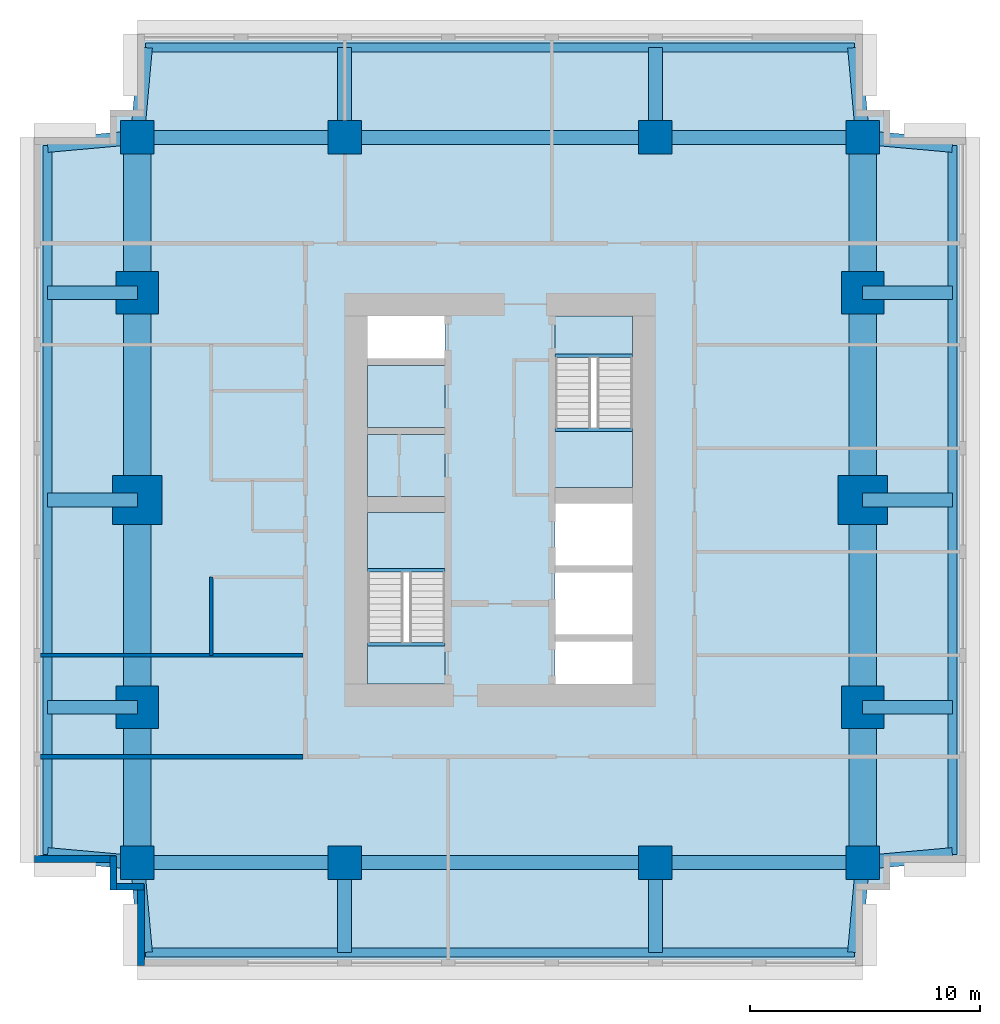
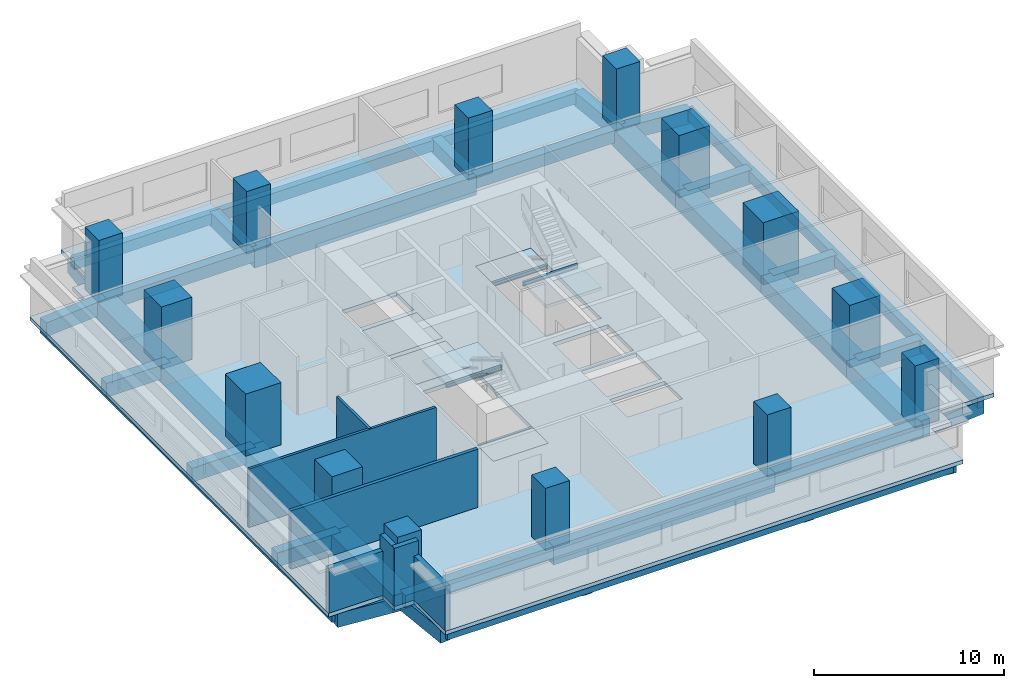
# One storey, part 1 of 5: 40 beams, 14 columns, 7 slabs, 7 walls, 2 elements without a shape of their own.
"""IFC4 building model written with IfcOpenShell, lengths in metres."""

from ifc_helpers import new_model, si_unit, direction, frame, frame_2d, origin, origin_2d, place, context, subcontext, project, spatial, polyline, rectangle, i_section, outline, extrude, material, layer, layer_set, material_profile, profile_set, type_object, element, aggregate, save


model = new_model("IFC4")

# Units and contexts
model_context = context("Model", 3, precision=1e-05, world=origin(), true_north=direction((0.0, 1.0)))
body_context = subcontext(model_context, "Body", "Model", "MODEL_VIEW")
ifc_project = project(units=[si_unit("LENGTHUNIT", "METRE"), si_unit("AREAUNIT", "SQUARE_METRE"), si_unit("VOLUMEUNIT", "CUBIC_METRE"), si_unit("PLANEANGLEUNIT", "RADIAN"), si_unit("MASSUNIT", "GRAM", prefix="KILO")], contexts=[model_context])

# Site, building, storey
site_placement = place(None, origin())
site = spatial("IfcSite", under=ifc_project, at=site_placement, CompositionType="ELEMENT")
building_placement = place(site_placement, origin())
building = spatial("IfcBuilding", under=site, at=building_placement, Name="Namib Vertical Campus", CompositionType="ELEMENT")
storey_placement = place(building_placement, frame((0.0, 0.0, 253.0)))
storey = spatial("IfcBuildingStorey", under=building, at=storey_placement, Name="L59", CompositionType="ELEMENT", Elevation=253.0)

# Columns
ifc_material_1 = material(Name="Concrete C60/75", Category="concrete")
ifc_material_profile_1 = material_profile(ifc_material_1, rectangle(XDim=1.449951171875, YDim=1.449951171875, at=origin_2d()))
ifc_profile_set_1 = profile_set([ifc_material_profile_1], Name="Concrete C60/75")
column_type_1 = type_object("IfcColumnType", Name="Column RC 1450x1450", PredefinedType="COLUMN", material=ifc_profile_set_1)
for number, where, z_axis, x_axis, name in (
    (1, (4.5, 4.5, 0.0), (0.0, 0.0, 1.0), (1.0, 0.0, 0.0), "Column C145 L59"),
    (2, (13.5, 4.5, 0.0), (0.0, 0.0, 1.0), (1.0, 0.0, 0.0), "Column C145 L59"),
    (3, (27.0, 4.5, 0.0), (0.0, 0.0, 1.0), (1.0, 0.0, 0.0), "Column C145 L59"),
    (4, (36.0, 4.5, 0.0), (0.0, 0.0, 1.0), (1.0, 0.0, 0.0), "Column C145 L59"),
    (5, (4.5, 36.0, 0.0), (0.0, 0.0, 1.0), (1.0, 0.0, 0.0), "Column C145 L59"),
    (6, (13.5, 36.0, 0.0), (0.0, 0.0, 1.0), (1.0, 0.0, 0.0), "Column C145 L59"),
    (7, (27.0, 36.0, 0.0), (0.0, 0.0, 1.0), (1.0, 0.0, 0.0), "Column C145 L59"),
    (8, (36.0, 36.0, 0.0), (0.0, 0.0, 1.0), (1.0, 0.0, 0.0), "Column C145 L59"),
):
    element("IfcColumn", number, at=place(storey_placement, frame(where, z_axis=z_axis, x_axis=x_axis)), inside=storey, type_object=column_type_1, Name=name, PredefinedType="COLUMN", context=body_context, shape_type="SweptSolid", body=[
        extrude(rectangle(XDim=1.449951171875, YDim=1.449951171875, at=origin_2d()), origin(), (0.0, 0.0, 1.0), 4.0),
    ])
ifc_material_2 = material(Name="Concrete C60/75", Category="concrete")
ifc_material_profile_2 = material_profile(ifc_material_2, rectangle(XDim=1.85009765625, YDim=1.85009765625, at=origin_2d()))
ifc_profile_set_2 = profile_set([ifc_material_profile_2], Name="Concrete C60/75")
column_type_2 = type_object("IfcColumnType", Name="Column RC 1850x1850", PredefinedType="COLUMN", material=ifc_profile_set_2)
for number, where, z_axis, x_axis, name in (
    (9, (4.5, 11.25, 0.0), (0.0, 0.0, 1.0), (1.0, 0.0, 0.0), "Column C185 L59"),
    (10, (36.0, 11.25, 0.0), (0.0, 0.0, 1.0), (1.0, 0.0, 0.0), "Column C185 L59"),
    (11, (4.5, 29.25, 0.0), (0.0, 0.0, 1.0), (1.0, 0.0, 0.0), "Column C185 L59"),
    (12, (36.0, 29.25, 0.0), (0.0, 0.0, 1.0), (1.0, 0.0, 0.0), "Column C185 L59"),
):
    element("IfcColumn", number, at=place(storey_placement, frame(where, z_axis=z_axis, x_axis=x_axis)), inside=storey, type_object=column_type_2, Name=name, PredefinedType="COLUMN", context=body_context, shape_type="SweptSolid", body=[
        extrude(rectangle(XDim=1.85009765625, YDim=1.85009765625, at=origin_2d()), origin(), (0.0, 0.0, 1.0), 4.0),
    ])
ifc_material_3 = material(Name="Concrete C60/75", Category="concrete")
ifc_material_profile_3 = material_profile(ifc_material_3, rectangle(XDim=2.14990234375, YDim=2.14990234375, at=origin_2d()))
ifc_profile_set_3 = profile_set([ifc_material_profile_3], Name="Concrete C60/75")
column_type_3 = type_object("IfcColumnType", Name="Column RC 2150x2150", PredefinedType="COLUMN", material=ifc_profile_set_3)
for number, where, z_axis, x_axis, name in (
    (13, (4.5, 20.25, 0.0), (0.0, 0.0, 1.0), (1.0, 0.0, 0.0), "Column C215 L59"),
    (14, (36.0, 20.25, 0.0), (0.0, 0.0, 1.0), (1.0, 0.0, 0.0), "Column C215 L59"),
):
    element("IfcColumn", number, at=place(storey_placement, frame(where, z_axis=z_axis, x_axis=x_axis)), inside=storey, type_object=column_type_3, Name=name, PredefinedType="COLUMN", context=body_context, shape_type="SweptSolid", body=[
        extrude(rectangle(XDim=2.14990234375, YDim=2.14990234375, at=origin_2d()), origin(), (0.0, 0.0, 1.0), 4.0),
    ])

# Beams
ifc_material_4 = material(Name="Concrete C40/50", Category="concrete")
ifc_material_profile_4 = material_profile(ifc_material_4, rectangle(XDim=0.60009765625, YDim=0.89990234375, at=origin_2d()))
ifc_profile_set_4 = profile_set([ifc_material_profile_4], Name="Concrete C40/50")
beam_type_1 = type_object("IfcBeamType", Name="Cantilever girder RC 600x900", PredefinedType="BEAM", material=ifc_profile_set_4)
beam_1_placement = place(storey_placement, frame((4.5, 4.5, -0.699951171875), z_axis=(0.089411326146, -0.995994786511, 0.0), x_axis=(0.995994786511, 0.089411326146, 0.0)))
element("IfcBeam", 15, at=beam_1_placement, inside=storey, type_object=beam_type_1, Name="Beam B3 L59", PredefinedType="BEAM", context=body_context, shape_type="SweptSolid", body=[
    extrude(rectangle(XDim=0.60009765625, YDim=0.89990234375, at=origin_2d()), origin(), (0.0, 0.0, 1.0), 3.91552734375),
])
for number, where, z_axis, x_axis, name in (
    (16, (13.5, 4.5, -0.699951171875), (0.0, -1.0, 0.0), (1.0, 0.0, 0.0), "Beam B3 L59"),
    (17, (27.0, 4.5, -0.699951171875), (0.0, -1.0, 0.0), (1.0, 0.0, 0.0), "Beam B3 L59"),
):
    element("IfcBeam", number, at=place(storey_placement, frame(where, z_axis=z_axis, x_axis=x_axis)), inside=storey, type_object=beam_type_1, Name=name, PredefinedType="BEAM", context=body_context, shape_type="SweptSolid", body=[
        extrude(rectangle(XDim=0.60009765625, YDim=0.89990234375, at=origin_2d()), origin(), (0.0, 0.0, 1.0), 3.89990234375),
    ])
for number, where, z_axis, x_axis, name in (
    (18, (36.0, 4.5, -0.699951171875), (-0.089411326146, -0.995994786511, 0.0), (0.995994786511, -0.089411326146, 0.0), "Beam B3 L59"),
    (19, (4.5, 36.0, -0.699951171875), (0.089411326146, 0.995994786511, 0.0), (-0.995994786511, 0.089411326146, 0.0), "Beam B3 L59"),
):
    element("IfcBeam", number, at=place(storey_placement, frame(where, z_axis=z_axis, x_axis=x_axis)), inside=storey, type_object=beam_type_1, Name=name, PredefinedType="BEAM", context=body_context, shape_type="SweptSolid", body=[
        extrude(rectangle(XDim=0.60009765625, YDim=0.89990234375, at=origin_2d()), origin(), (0.0, 0.0, 1.0), 3.91552734375),
    ])
for number, where, z_axis, x_axis, name in (
    (20, (13.5, 36.0, -0.699951171875), (0.0, 1.0, 0.0), (-1.0, 0.0, 0.0), "Beam B3 L59"),
    (21, (27.0, 36.0, -0.699951171875), (0.0, 1.0, 0.0), (-1.0, 0.0, 0.0), "Beam B3 L59"),
):
    element("IfcBeam", number, at=place(storey_placement, frame(where, z_axis=z_axis, x_axis=x_axis)), inside=storey, type_object=beam_type_1, Name=name, PredefinedType="BEAM", context=body_context, shape_type="SweptSolid", body=[
        extrude(rectangle(XDim=0.60009765625, YDim=0.89990234375, at=origin_2d()), origin(), (0.0, 0.0, 1.0), 3.89990234375),
    ])
for number, where, z_axis, x_axis, name in (
    (22, (36.0, 36.0, -0.699951171875), (-0.089411326146, 0.995994786511, 0.0), (-0.995994786511, -0.089411326146, 0.0), "Beam B3 L59"),
    (23, (4.5, 4.5, -0.699951171875), (-0.995994786511, 0.089411326146, 0.0), (-0.089411326146, -0.995994786511, 0.0), "Beam B3 L59"),
):
    element("IfcBeam", number, at=place(storey_placement, frame(where, z_axis=z_axis, x_axis=x_axis)), inside=storey, type_object=beam_type_1, Name=name, PredefinedType="BEAM", context=body_context, shape_type="SweptSolid", body=[
        extrude(rectangle(XDim=0.60009765625, YDim=0.89990234375, at=origin_2d()), origin(), (0.0, 0.0, 1.0), 3.91552734375),
    ])
for number, where, z_axis, x_axis, name in (
    (24, (4.5, 11.25, -0.699951171875), (-1.0, 0.0, 0.0), (0.0, -1.0, 0.0), "Beam B3 L59"),
    (25, (4.5, 20.25, -0.699951171875), (-1.0, 0.0, 0.0), (0.0, -1.0, 0.0), "Beam B3 L59"),
    (26, (4.5, 29.25, -0.699951171875), (-1.0, 0.0, 0.0), (0.0, -1.0, 0.0), "Beam B3 L59"),
):
    element("IfcBeam", number, at=place(storey_placement, frame(where, z_axis=z_axis, x_axis=x_axis)), inside=storey, type_object=beam_type_1, Name=name, PredefinedType="BEAM", context=body_context, shape_type="SweptSolid", body=[
        extrude(rectangle(XDim=0.60009765625, YDim=0.89990234375, at=origin_2d()), origin(), (0.0, 0.0, 1.0), 3.89990234375),
    ])
for number, where, z_axis, x_axis, name in (
    (27, (4.5, 36.0, -0.699951171875), (-0.995994786511, -0.089411326146, 0.0), (0.089411326146, -0.995994786511, 0.0), "Beam B3 L59"),
    (28, (36.0, 4.5, -0.699951171875), (0.995994786511, 0.089411326146, 0.0), (-0.089411326146, 0.995994786511, 0.0), "Beam B3 L59"),
):
    element("IfcBeam", number, at=place(storey_placement, frame(where, z_axis=z_axis, x_axis=x_axis)), inside=storey, type_object=beam_type_1, Name=name, PredefinedType="BEAM", context=body_context, shape_type="SweptSolid", body=[
        extrude(rectangle(XDim=0.60009765625, YDim=0.89990234375, at=origin_2d()), origin(), (0.0, 0.0, 1.0), 3.91552734375),
    ])
for number, where, z_axis, x_axis, name in (
    (29, (36.0, 11.25, -0.699951171875), (1.0, 0.0, 0.0), (0.0, 1.0, 0.0), "Beam B3 L59"),
    (30, (36.0, 20.25, -0.699951171875), (1.0, 0.0, 0.0), (0.0, 1.0, 0.0), "Beam B3 L59"),
    (31, (36.0, 29.25, -0.699951171875), (1.0, 0.0, 0.0), (0.0, 1.0, 0.0), "Beam B3 L59"),
):
    element("IfcBeam", number, at=place(storey_placement, frame(where, z_axis=z_axis, x_axis=x_axis)), inside=storey, type_object=beam_type_1, Name=name, PredefinedType="BEAM", context=body_context, shape_type="SweptSolid", body=[
        extrude(rectangle(XDim=0.60009765625, YDim=0.89990234375, at=origin_2d()), origin(), (0.0, 0.0, 1.0), 3.89990234375),
    ])
beam_2_placement = place(storey_placement, frame((36.0, 36.0, -0.699951171875), z_axis=(0.995994786511, -0.089411326146, 0.0), x_axis=(0.089411326146, 0.995994786511, 0.0)))
element("IfcBeam", 32, at=beam_2_placement, inside=storey, type_object=beam_type_1, Name="Beam B3 L59", PredefinedType="BEAM", context=body_context, shape_type="SweptSolid", body=[
    extrude(rectangle(XDim=0.60009765625, YDim=0.89990234375, at=origin_2d()), origin(), (0.0, 0.0, 1.0), 3.91552734375),
])
ifc_material_5 = material(Name="Concrete C40/50", Category="concrete")
ifc_material_profile_5 = material_profile(ifc_material_5, rectangle(XDim=0.39990234375, YDim=0.699951171875, at=origin_2d()))
ifc_profile_set_5 = profile_set([ifc_material_profile_5], Name="Concrete C40/50")
beam_type_2 = type_object("IfcBeamType", Name="Edge beam RC 400x700", PredefinedType="SPANDREL", material=ifc_profile_set_5)
for number, where, z_axis, x_axis, name in (
    (33, (4.85009765625, 0.60009765625, -0.60009765625), (1.0, 0.0, 0.0), (0.0, 1.0, 0.0), "Beam B4 L59"),
    (34, (4.85009765625, 39.89990234375, -0.60009765625), (1.0, 0.0, 0.0), (0.0, 1.0, 0.0), "Beam B4 L59"),
    (35, (0.60009765625, 4.85009765625, -0.60009765625), (0.0, 1.0, 0.0), (-1.0, 0.0, 0.0), "Beam B4 L59"),
    (36, (39.89990234375, 4.85009765625, -0.60009765625), (0.0, 1.0, 0.0), (-1.0, 0.0, 0.0), "Beam B4 L59"),
):
    element("IfcBeam", number, at=place(storey_placement, frame(where, z_axis=z_axis, x_axis=x_axis)), inside=storey, type_object=beam_type_2, Name=name, PredefinedType="SPANDREL", context=body_context, shape_type="SweptSolid", body=[
        extrude(rectangle(XDim=0.39990234375, YDim=0.699951171875, at=origin_2d()), origin(), (0.0, 0.0, 1.0), 30.7998046875),
    ])
ifc_material_6 = material(Name="Concrete C40/50", Category="concrete")
ifc_material_profile_6 = material_profile(ifc_material_6, rectangle(XDim=1.199951171875, YDim=1.10009765625, at=origin_2d()))
ifc_profile_set_6 = profile_set([ifc_material_profile_6], Name="Concrete C40/50")
beam_type_3 = type_object("IfcBeamType", Name="Face ring beam RC 1200x1100", PredefinedType="BEAM", material=ifc_profile_set_6)
beam_3_placement = place(storey_placement, frame((4.5, 4.5, -0.800048828125), z_axis=(0.0, 1.0, 0.0), x_axis=(-1.0, 0.0, 0.0)))
element("IfcBeam", 37, at=beam_3_placement, inside=storey, type_object=beam_type_3, Name="Beam B11 L59", PredefinedType="BEAM", context=body_context, shape_type="SweptSolid", body=[
    extrude(rectangle(XDim=1.199951171875, YDim=1.10009765625, at=origin_2d()), origin(), (0.0, 0.0, 1.0), 6.75),
])
for number, where, z_axis, x_axis, name in (
    (38, (4.5, 11.25, -0.800048828125), (0.0, 1.0, 0.0), (-1.0, 0.0, 0.0), "Beam B11 L59"),
    (39, (4.5, 20.25, -0.800048828125), (0.0, 1.0, 0.0), (-1.0, 0.0, 0.0), "Beam B11 L59"),
):
    element("IfcBeam", number, at=place(storey_placement, frame(where, z_axis=z_axis, x_axis=x_axis)), inside=storey, type_object=beam_type_3, Name=name, PredefinedType="BEAM", context=body_context, shape_type="SweptSolid", body=[
        extrude(rectangle(XDim=1.199951171875, YDim=1.10009765625, at=origin_2d()), origin(), (0.0, 0.0, 1.0), 9.0),
    ])
for number, where, z_axis, x_axis, name in (
    (40, (4.5, 29.25, -0.800048828125), (0.0, 1.0, 0.0), (-1.0, 0.0, 0.0), "Beam B11 L59"),
    (41, (36.0, 4.5, -0.800048828125), (0.0, 1.0, 0.0), (-1.0, 0.0, 0.0), "Beam B11 L59"),
):
    element("IfcBeam", number, at=place(storey_placement, frame(where, z_axis=z_axis, x_axis=x_axis)), inside=storey, type_object=beam_type_3, Name=name, PredefinedType="BEAM", context=body_context, shape_type="SweptSolid", body=[
        extrude(rectangle(XDim=1.199951171875, YDim=1.10009765625, at=origin_2d()), origin(), (0.0, 0.0, 1.0), 6.75),
    ])
for number, where, z_axis, x_axis, name in (
    (42, (36.0, 11.25, -0.800048828125), (0.0, 1.0, 0.0), (-1.0, 0.0, 0.0), "Beam B11 L59"),
    (43, (36.0, 20.25, -0.800048828125), (0.0, 1.0, 0.0), (-1.0, 0.0, 0.0), "Beam B11 L59"),
):
    element("IfcBeam", number, at=place(storey_placement, frame(where, z_axis=z_axis, x_axis=x_axis)), inside=storey, type_object=beam_type_3, Name=name, PredefinedType="BEAM", context=body_context, shape_type="SweptSolid", body=[
        extrude(rectangle(XDim=1.199951171875, YDim=1.10009765625, at=origin_2d()), origin(), (0.0, 0.0, 1.0), 9.0),
    ])
beam_4_placement = place(storey_placement, frame((36.0, 29.25, -0.800048828125), z_axis=(0.0, 1.0, 0.0), x_axis=(-1.0, 0.0, 0.0)))
element("IfcBeam", 44, at=beam_4_placement, inside=storey, type_object=beam_type_3, Name="Beam B11 L59", PredefinedType="BEAM", context=body_context, shape_type="SweptSolid", body=[
    extrude(rectangle(XDim=1.199951171875, YDim=1.10009765625, at=origin_2d()), origin(), (0.0, 0.0, 1.0), 6.75),
])
ifc_material_7 = material(Name="Steel S355JR", Category="steel")
ifc_material_profile_7 = material_profile(ifc_material_7, i_section(OverallWidth=0.14599609375, OverallDepth=0.25146484375, WebThickness=0.006103515625, FlangeThickness=0.008544921875, FilletRadius=0.007568359375, at=origin_2d()))
ifc_profile_set_7 = profile_set([ifc_material_profile_7], Name="Steel S355JR")
beam_type_4 = type_object("IfcBeamType", Name="Landing trimmer UB 254x146x31", PredefinedType="BEAM", material=ifc_profile_set_7)
for number, where, z_axis, x_axis, name in (
    (45, (14.5, 13.97705078125, -0.125732421875), (1.0, 0.0, 0.0), (0.0, 1.0, 0.0), "Landing trimmer LT1 A-S1 L59 1"),
    (46, (14.5, 17.203125, 1.874267578125), (1.0, 0.0, 0.0), (0.0, 1.0, 0.0), "Landing trimmer LT1 A-S1 L59 2"),
    (47, (22.64990234375, 26.52294921875, -0.125732421875), (1.0, 0.0, 0.0), (0.0, 1.0, 0.0), "Landing trimmer LT1 A-S2 L59 1"),
    (48, (22.64990234375, 23.296875, 1.874267578125), (1.0, 0.0, 0.0), (0.0, 1.0, 0.0), "Landing trimmer LT1 A-S2 L59 2"),
):
    element("IfcBeam", number, at=place(storey_placement, frame(where, z_axis=z_axis, x_axis=x_axis)), inside=storey, type_object=beam_type_4, Name=name, PredefinedType="BEAM", context=body_context, shape_type="SweptSolid", body=[
        extrude(i_section(OverallWidth=0.14599609375, OverallDepth=0.25146484375, WebThickness=0.006103515625, FlangeThickness=0.008544921875, FilletRadius=0.007568359375, at=origin_2d()), origin(), (0.0, 0.0, 1.0), 3.35009765625),
    ])
ifc_material_8 = material(Name="Concrete C40/50", Category="concrete")
ifc_material_profile_8 = material_profile(ifc_material_8, rectangle(XDim=0.60009765625, YDim=1.199951171875, at=origin_2d()))
ifc_profile_set_8 = profile_set([ifc_material_profile_8], Name="Concrete C40/50")
beam_type_5 = type_object("IfcBeamType", Name="Long-span ring beam RC 600x1200", PredefinedType="BEAM", material=ifc_profile_set_8)
for number, where, z_axis, x_axis, name in (
    (49, (13.5, 4.5, -0.85009765625), (1.0, 0.0, 0.0), (0.0, 1.0, 0.0), "Beam B9 L59"),
    (50, (13.5, 36.0, -0.85009765625), (1.0, 0.0, 0.0), (0.0, 1.0, 0.0), "Beam B9 L59"),
):
    element("IfcBeam", number, at=place(storey_placement, frame(where, z_axis=z_axis, x_axis=x_axis)), inside=storey, type_object=beam_type_5, Name=name, PredefinedType="BEAM", context=body_context, shape_type="SweptSolid", body=[
        extrude(rectangle(XDim=0.60009765625, YDim=1.199951171875, at=origin_2d()), origin(), (0.0, 0.0, 1.0), 13.5),
    ])
ifc_material_9 = material(Name="Concrete C40/50", Category="concrete")
ifc_material_profile_9 = material_profile(ifc_material_9, rectangle(XDim=0.60009765625, YDim=0.800048828125, at=origin_2d()))
ifc_profile_set_9 = profile_set([ifc_material_profile_9], Name="Concrete C40/50")
beam_type_6 = type_object("IfcBeamType", Name="Ring beam RC 600x800", PredefinedType="BEAM", material=ifc_profile_set_9)
for number, where, z_axis, x_axis, name in (
    (51, (4.5, 4.5, -0.64990234375), (1.0, 0.0, 0.0), (0.0, 1.0, 0.0), "Beam B1 L59"),
    (52, (27.0, 4.5, -0.64990234375), (1.0, 0.0, 0.0), (0.0, 1.0, 0.0), "Beam B1 L59"),
    (53, (4.5, 36.0, -0.64990234375), (1.0, 0.0, 0.0), (0.0, 1.0, 0.0), "Beam B1 L59"),
    (54, (27.0, 36.0, -0.64990234375), (1.0, 0.0, 0.0), (0.0, 1.0, 0.0), "Beam B1 L59"),
):
    element("IfcBeam", number, at=place(storey_placement, frame(where, z_axis=z_axis, x_axis=x_axis)), inside=storey, type_object=beam_type_6, Name=name, PredefinedType="BEAM", context=body_context, shape_type="SweptSolid", body=[
        extrude(rectangle(XDim=0.60009765625, YDim=0.800048828125, at=origin_2d()), origin(), (0.0, 0.0, 1.0), 9.0),
    ])

# Slabs
ifc_material_10 = material(Name="Concrete C40/50", Category="concrete")
ifc_layer_1 = layer(ifc_material_10, 0.25)
ifc_layer_set_1 = layer_set([ifc_layer_1], Name="Concrete C40/50")
slab_type_1 = type_object("IfcSlabType", Name="Floor slab 250", PredefinedType="FLOOR", material=ifc_layer_set_1)
slab_1_placement = place(storey_placement, frame((0.0, 0.0, -0.25)))
element("IfcSlab", 55, at=slab_1_placement, inside=storey, type_object=slab_type_1, Name="Floor slab A L59", PredefinedType="FLOOR", context=body_context, shape_type="SweptSolid", body=[
    extrude(outline(polyline([(4.5, 0.0), (36.0, 0.0), (36.0, 3.300048828125), (37.199951171875, 3.300048828125), (37.199951171875, 4.5), (40.5, 4.5), (40.5, 36.0), (37.199951171875, 36.0), (37.199951171875, 37.199951171875), (36.0, 37.199951171875), (36.0, 40.5), (4.5, 40.5), (4.5, 37.199951171875), (3.300048828125, 37.199951171875), (3.300048828125, 36.0), (0.0, 36.0), (0.0, 4.5), (3.300048828125, 4.5), (3.300048828125, 3.300048828125), (4.5, 3.300048828125), (4.5, 0.0)]), holes=[polyline([(14.5, 12.25), (17.85009765625, 12.25), (17.85009765625, 19.699951171875), (14.5, 19.699951171875), (14.5, 12.25)]), polyline([(22.64990234375, 20.800048828125), (26.0, 20.800048828125), (26.0, 28.25), (22.64990234375, 28.25), (22.64990234375, 20.800048828125)]), polyline([(22.64990234375, 12.25), (26.0, 12.25), (26.0, 14.10009765625), (22.64990234375, 14.10009765625), (22.64990234375, 12.25)]), polyline([(14.5, 20.39990234375), (17.85009765625, 20.39990234375), (17.85009765625, 23.10009765625), (14.5, 23.10009765625), (14.5, 20.39990234375)]), polyline([(14.5, 23.39990234375), (17.85009765625, 23.39990234375), (17.85009765625, 26.10009765625), (14.5, 26.10009765625), (14.5, 23.39990234375)]), polyline([(14.5, 26.39990234375), (17.85009765625, 26.39990234375), (17.85009765625, 28.25), (14.5, 28.25), (14.5, 26.39990234375)]), polyline([(22.64990234375, 14.39990234375), (26.0, 14.39990234375), (26.0, 17.10009765625), (22.64990234375, 17.10009765625), (22.64990234375, 14.39990234375)]), polyline([(22.64990234375, 17.39990234375), (26.0, 17.39990234375), (26.0, 20.10009765625), (22.64990234375, 20.10009765625), (22.64990234375, 17.39990234375)])]), origin(), (0.0, 0.0, 1.0), 0.25),
])
ifc_material_11 = material(Name="Concrete C40/50 precast", Category="concrete")
ifc_layer_2 = layer(ifc_material_11, 0.25)
ifc_layer_set_2 = layer_set([ifc_layer_2], Name="Concrete C40/50 precast")
slab_type_2 = type_object("IfcSlabType", Name="Shaft infill floor 250", PredefinedType="FLOOR", material=ifc_layer_set_2)
slab_2_placement = place(storey_placement, frame((0.0, 0.0, -0.25)))
element("IfcSlab", 56, at=slab_2_placement, inside=storey, type_object=slab_type_2, Name="Shaft infill floor A L59 P1", PredefinedType="FLOOR", context=body_context, shape_type="SweptSolid", body=[
    extrude(outline(polyline([(14.5, 20.39990234375), (17.85009765625, 20.39990234375), (17.85009765625, 23.10009765625), (14.5, 23.10009765625), (14.5, 20.39990234375)])), origin(), (0.0, 0.0, 1.0), 0.25),
])
slab_3_placement = place(storey_placement, frame((0.0, 0.0, -0.25)))
element("IfcSlab", 57, at=slab_3_placement, inside=storey, type_object=slab_type_2, Name="Shaft infill floor A L59 P2", PredefinedType="FLOOR", context=body_context, shape_type="SweptSolid", body=[
    extrude(outline(polyline([(14.5, 23.39990234375), (17.85009765625, 23.39990234375), (17.85009765625, 26.10009765625), (14.5, 26.10009765625), (14.5, 23.39990234375)])), origin(), (0.0, 0.0, 1.0), 0.25),
])

# Stair, slabs
ifc_material_12 = material(Name="Concrete C40/50 precast", Category="concrete")
stair_type = type_object("IfcStairType", Name="Exit stair 4000 rise 24 risers 3350 wide", PredefinedType="HALF_TURN_STAIR", material=ifc_material_12)
stair_1_placement = place(storey_placement, origin())
stair_1 = element("IfcStair", 58, at=stair_1_placement, inside=storey, type_object=stair_type, Name="Exit stair A-S1 L59", PredefinedType="HALF_TURN_STAIR")
ifc_material_13 = material(Name="Concrete C40/50", Category="concrete")
ifc_layer_3 = layer(ifc_material_13, 0.199951171875)
ifc_layer_set_3 = layer_set([ifc_layer_3], Name="Concrete C40/50")
slab_type_3 = type_object("IfcSlabType", Name="Stair landing 200", PredefinedType="LANDING", material=ifc_layer_set_3)
slab_4_placement = place(storey_placement, frame((0.0, 0.0, -0.199951171875)))
slab_4 = element("IfcSlab", 59, at=slab_4_placement, type_object=slab_type_3, Name="A-S1 landing 1", PredefinedType="LANDING", context=body_context, shape_type="SweptSolid", body=[
    extrude(outline(polyline([(14.5, 12.25), (17.85009765625, 12.25), (17.85009765625, 13.90380859375), (14.5, 13.90380859375), (14.5, 12.25)])), origin(), (0.0, 0.0, 1.0), 0.199951171875),
])
slab_5_placement = place(storey_placement, frame((0.0, 0.0, 1.800048828125)))
slab_5 = element("IfcSlab", 60, at=slab_5_placement, type_object=slab_type_3, Name="A-S1 landing 2", PredefinedType="LANDING", context=body_context, shape_type="SweptSolid", body=[
    extrude(outline(polyline([(14.5, 17.276123046875), (17.85009765625, 17.276123046875), (17.85009765625, 19.699951171875), (14.5, 19.699951171875), (14.5, 17.276123046875)])), origin(), (0.0, 0.0, 1.0), 0.199951171875),
])
aggregate(stair_1, [slab_4, slab_5])

stair_2_placement = place(storey_placement, origin())
stair_2 = element("IfcStair", 61, at=stair_2_placement, inside=storey, type_object=stair_type, Name="Exit stair A-S2 L59", PredefinedType="HALF_TURN_STAIR")
slab_6_placement = place(storey_placement, frame((0.0, 0.0, -0.199951171875)))
slab_6 = element("IfcSlab", 62, at=slab_6_placement, type_object=slab_type_3, Name="A-S2 landing 1", PredefinedType="LANDING", context=body_context, shape_type="SweptSolid", body=[
    extrude(outline(polyline([(22.64990234375, 26.59619140625), (26.0, 26.59619140625), (26.0, 28.25), (22.64990234375, 28.25), (22.64990234375, 26.59619140625)])), origin(), (0.0, 0.0, 1.0), 0.199951171875),
])
slab_7_placement = place(storey_placement, frame((0.0, 0.0, 1.800048828125)))
slab_7 = element("IfcSlab", 63, at=slab_7_placement, type_object=slab_type_3, Name="A-S2 landing 2", PredefinedType="LANDING", context=body_context, shape_type="SweptSolid", body=[
    extrude(outline(polyline([(22.64990234375, 20.800048828125), (26.0, 20.800048828125), (26.0, 23.223876953125), (22.64990234375, 23.223876953125), (22.64990234375, 20.800048828125)])), origin(), (0.0, 0.0, 1.0), 0.199951171875),
])
aggregate(stair_2, [slab_6, slab_7])

# Walls
ifc_material_14 = material(Name="Concrete masonry", Category="masonry")
ifc_layer_4 = layer(ifc_material_14, 0.199951171875)
ifc_layer_set_4 = layer_set([ifc_layer_4], Name="Corridor wall 200")
wall_type_1 = type_object("IfcWallType", Name="Corridor wall 200", PredefinedType="SOLIDWALL", material=ifc_layer_set_4)
wall_1_placement = place(storey_placement, frame((0.300048828125, 9.10009765625, 0.0), z_axis=(0.0, 0.0, 1.0), x_axis=(1.0, 0.0, 0.0)))
element("IfcWall", 64, at=wall_1_placement, inside=storey, type_object=wall_type_1, Name="Partition A L59 BSW", PredefinedType="SOLIDWALL", context=body_context, shape_type="SweptSolid", body=[
    extrude(rectangle(XDim=11.39990234375, YDim=0.199951171875, at=frame_2d((5.699951171875, 0.0))), origin(), (0.0, 0.0, 1.0), 3.75),
])
ifc_material_15 = material(Name="Concrete C40/50", Category="concrete")
ifc_layer_5 = layer(ifc_material_15, 0.300048828125)
ifc_layer_set_5 = layer_set([ifc_layer_5], Name="Concrete C40/50")
wall_type_2 = type_object("IfcWallType", Name="External wall 300 board-marked concrete", PredefinedType="STANDARD", material=ifc_layer_set_5)
wall_2_placement = place(storey_placement, frame((0.02001953125, 4.64990234375, 0.0), z_axis=(0.0, 0.0, 1.0), x_axis=(1.0, 0.0, 0.0)))
element("IfcWall", 65, at=wall_2_placement, inside=storey, type_object=wall_type_2, Name="External wall L59 F17", PredefinedType="STANDARD", context=body_context, shape_type="SweptSolid", body=[
    extrude(rectangle(XDim=3.56005859375, YDim=0.300048828125, at=frame_2d((1.780029296875, 0.0))), origin(), (0.0, 0.0, 1.0), 2.85009765625),
])
for number, where, z_axis, x_axis, name in (
    (66, (3.449951171875, 4.780029296875, 0.0), (0.0, 0.0, 1.0), (0.0, -1.0, 0.0), "External wall L59 F18"),
    (67, (3.320068359375, 3.449951171875, 0.0), (0.0, 0.0, 1.0), (1.0, 0.0, 0.0), "External wall L59 F19"),
):
    element("IfcWall", number, at=place(storey_placement, frame(where, z_axis=z_axis, x_axis=x_axis)), inside=storey, type_object=wall_type_2, Name=name, PredefinedType="STANDARD", context=body_context, shape_type="SweptSolid", body=[
        extrude(rectangle(XDim=1.4599609375, YDim=0.300048828125, at=frame_2d((0.72998046875, 0.0))), origin(), (0.0, 0.0, 1.0), 3.75),
    ])
wall_3_placement = place(storey_placement, frame((4.64990234375, 3.580078125, 0.0), z_axis=(0.0, 0.0, 1.0), x_axis=(0.0, -1.0, 0.0)))
element("IfcWall", 68, at=wall_3_placement, inside=storey, type_object=wall_type_2, Name="External wall L59 F20", PredefinedType="STANDARD", context=body_context, shape_type="SweptSolid", body=[
    extrude(rectangle(XDim=3.56005859375, YDim=0.300048828125, at=frame_2d((1.780029296875, 0.0))), origin(), (0.0, 0.0, 1.0), 2.85009765625),
])
ifc_material_16 = material(Name="Gypsum board on steel studs", Category="steel")
ifc_layer_6 = layer(ifc_material_16, 0.14990234375)
ifc_layer_set_6 = layer_set([ifc_layer_6], Name="Gypsum board on steel studs")
wall_type_3 = type_object("IfcWallType", Name="Partition 150", PredefinedType="PARTITIONING", material=ifc_layer_set_6)
wall_4_placement = place(storey_placement, frame((0.300048828125, 13.5, 0.0), z_axis=(0.0, 0.0, 1.0), x_axis=(1.0, 0.0, 0.0)))
element("IfcWall", 69, at=wall_4_placement, inside=storey, type_object=wall_type_3, Name="Partition A L59 PW1", PredefinedType="PARTITIONING", context=body_context, shape_type="SweptSolid", body=[
    extrude(rectangle(XDim=11.39990234375, YDim=0.14990234375, at=frame_2d((5.699951171875, 0.0))), origin(), (0.0, 0.0, 1.0), 3.75),
])
wall_5_placement = place(storey_placement, frame((7.699951171875, 13.5, 0.0), z_axis=(0.0, 0.0, 1.0), x_axis=(0.0, 1.0, 0.0)))
element("IfcWall", 70, at=wall_5_placement, inside=storey, type_object=wall_type_3, Name="Partition A L59 WB1", PredefinedType="PARTITIONING", context=body_context, shape_type="SweptSolid", body=[
    extrude(rectangle(XDim=3.39990234375, YDim=0.14990234375, at=frame_2d((1.699951171875, 0.0))), origin(), (0.0, 0.0, 1.0), 3.75),
])

save(model, "model.ifc")
